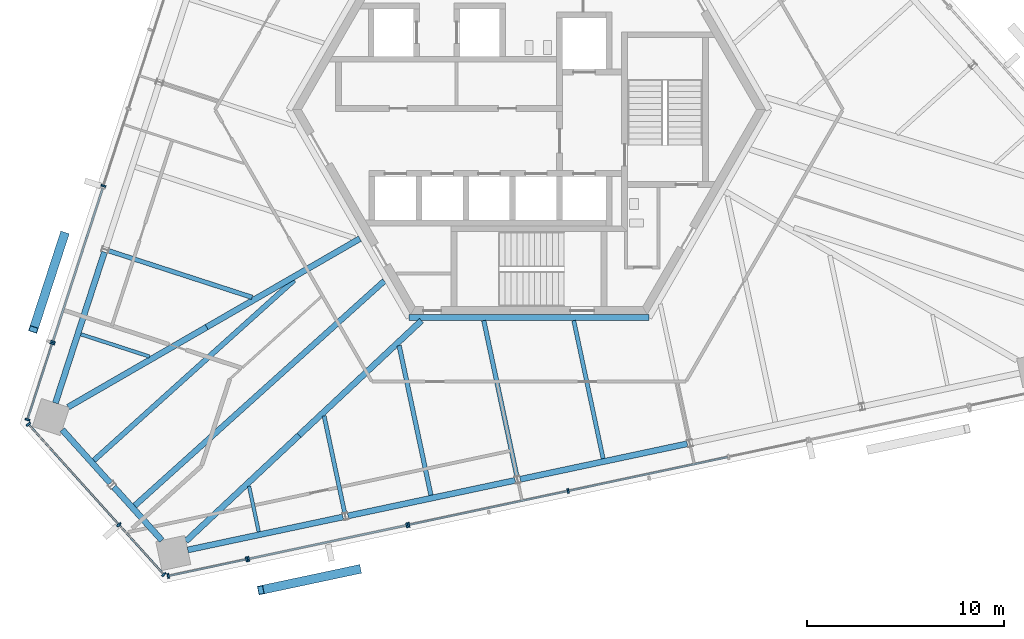
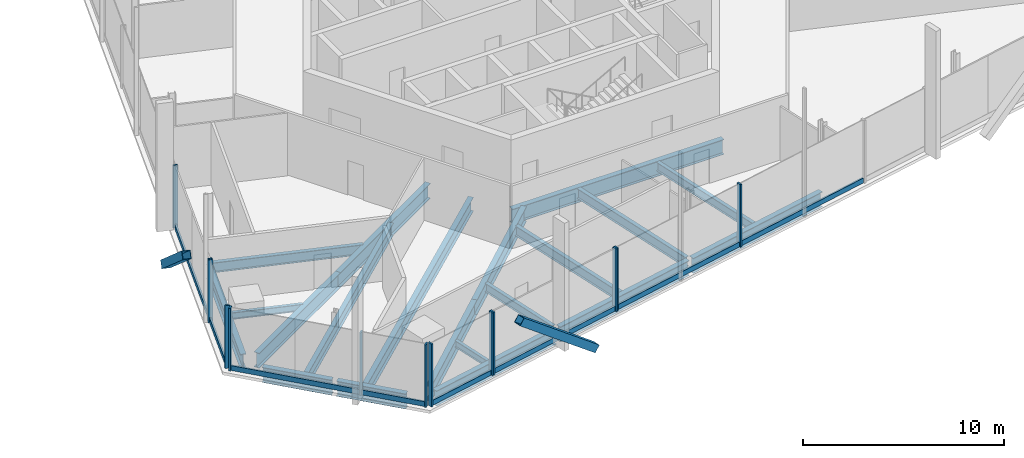
# One storey, part 4 of 17: 23 members, 20 beams, 7 elements without a shape of their own.
"""IFC4 building model written with IfcOpenShell, lengths in metres."""

from ifc_helpers import new_model, si_unit, direction, frame, origin, origin_2d, place, context, subcontext, project, spatial, rectangle, hollow_rectangle, i_section, extrude, source, transform, mapped, material, material_profile, profile_set, type_object, element, aggregate, save


model = new_model("IFC4")

# Units and contexts
model_context = context("Model", 3, precision=1e-05, world=origin(), true_north=direction((0.0, 1.0)))
body_context = subcontext(model_context, "Body", "Model", "MODEL_VIEW")
ifc_project = project(units=[si_unit("LENGTHUNIT", "METRE"), si_unit("AREAUNIT", "SQUARE_METRE"), si_unit("VOLUMEUNIT", "CUBIC_METRE"), si_unit("PLANEANGLEUNIT", "RADIAN"), si_unit("MASSUNIT", "GRAM", prefix="KILO")], contexts=[model_context])

# Site, building, storey
site_placement = place(None, origin())
site = spatial("IfcSite", under=ifc_project, at=site_placement, CompositionType="ELEMENT")
building_placement = place(site_placement, origin())
building = spatial("IfcBuilding", under=site, at=building_placement, Name="Triune Harvest Tower", CompositionType="ELEMENT")
storey_placement = place(building_placement, frame((0.0, 0.0, 288.699951171875)))
storey = spatial("IfcBuildingStorey", under=building, at=storey_placement, Name="L76", CompositionType="ELEMENT", Elevation=288.699951171875)

# Beams
ifc_material_1 = material(Name="Steel ASTM A992 Gr 50", Category="steel")
ifc_material_profile_1 = material_profile(ifc_material_1, i_section(OverallWidth=0.3046875, OverallDepth=0.914306640625, WebThickness=0.0166015625, FlangeThickness=0.02587890625, at=origin_2d()), Name="W36x160")
ifc_profile_set_1 = profile_set([ifc_material_profile_1], Name="Steel ASTM A992 Gr 50")
beam_type_1 = type_object("IfcBeamType", Name="CG-1 Core ring girder W36x160", PredefinedType="BEAM", material=ifc_profile_set_1)
shared_shape_1 = source(origin(), body_context, "Body", "SweptSolid", [
    extrude(i_section(OverallWidth=0.3046875, OverallDepth=0.914306640625, WebThickness=0.0166015625, FlangeThickness=0.02587890625, at=origin_2d()), origin(), (0.0, 0.0, 1.0), 12.17578125),
])
beam_1_placement = place(storey_placement, frame((-6.087890625, -10.544677734375, -0.63720703125), z_axis=(1.0, 0.0, 0.0), x_axis=(0.0, 1.0, 0.0)))
element("IfcBeam", 1, at=beam_1_placement, inside=storey, type_object=beam_type_1, Name="beam/L76/CG5", PredefinedType="BEAM", context=body_context, shape_type="MappedRepresentation", body=[
    mapped(shared_shape_1, transform((0.0, 0.0, 0.0), scale=1.0)),
])
ifc_material_2 = material(Name="Steel ASTM A992 Gr 50", Category="steel")
ifc_material_profile_2 = material_profile(ifc_material_2, i_section(OverallWidth=0.3046875, OverallDepth=0.914306640625, WebThickness=0.0166015625, FlangeThickness=0.02587890625, at=origin_2d()), Name="W36x160")
ifc_profile_set_2 = profile_set([ifc_material_profile_2], Name="Steel ASTM A992 Gr 50")
beam_type_2 = type_object("IfcBeamType", Name="HG-3 Hip girder W36x160", PredefinedType="BEAM", material=ifc_profile_set_2)
shared_shape_2 = source(origin(), body_context, "Body", "SweptSolid", [
    extrude(i_section(OverallWidth=0.3046875, OverallDepth=0.914306640625, WebThickness=0.0166015625, FlangeThickness=0.02587890625, at=origin_2d()), origin(), (0.0, 0.0, 1.0), 8.97265625),
])
beam_2_placement = place(storey_placement, frame((-16.34619140625, -11.02734375, -0.63720703125), z_axis=(0.866024277037, 0.500001951578, 0.0), x_axis=(-0.500001951578, 0.866024277037, 0.0)))
element("IfcBeam", 2, at=beam_2_placement, inside=storey, type_object=beam_type_2, Name="beam/L76/HG5", PredefinedType="BEAM", context=body_context, shape_type="MappedRepresentation", body=[
    mapped(shared_shape_2, transform((0.0, 0.0, 0.0), scale=1.0)),
])
ifc_material_3 = material(Name="Steel ASTM A992 Gr 50", Category="steel")
ifc_material_profile_3 = material_profile(ifc_material_3, i_section(OverallWidth=0.3046875, OverallDepth=0.914306640625, WebThickness=0.0166015625, FlangeThickness=0.02587890625, at=origin_2d()), Name="W36x160")
ifc_profile_set_3 = profile_set([ifc_material_profile_3], Name="Steel ASTM A992 Gr 50")
beam_type_3 = type_object("IfcBeamType", Name="SB-1 Spandrel beam W36x160", PredefinedType="SPANDREL", material=ifc_profile_set_3)
shared_shape_3 = source(origin(), body_context, "Body", "SweptSolid", [
    extrude(i_section(OverallWidth=0.3046875, OverallDepth=0.914306640625, WebThickness=0.0166015625, FlangeThickness=0.02587890625, at=origin_2d()), origin(), (0.0, 0.0, 1.0), 8.0498046875),
])
beam_3_placement = place(storey_placement, frame((-21.529296875, -7.220703125, -0.63720703125), z_axis=(-0.30902160762, -0.951055017348, 0.0), x_axis=(0.951055017348, -0.30902160762, 0.0)))
element("IfcBeam", 3, at=beam_3_placement, inside=storey, type_object=beam_type_3, Name="beam/L76/SB12", PredefinedType="SPANDREL", context=body_context, shape_type="MappedRepresentation", body=[
    mapped(shared_shape_3, transform((0.0, 0.0, 0.0), scale=1.0)),
])
shared_shape_4 = source(origin(), body_context, "Body", "SweptSolid", [
    extrude(i_section(OverallWidth=0.3046875, OverallDepth=0.914306640625, WebThickness=0.0166015625, FlangeThickness=0.02587890625, at=origin_2d()), origin(), (0.0, 0.0, 1.0), 8.67138671875),
])
for number, where, z_axis, x_axis, name in (
    (4, (-9.1806640625, -20.603271484375, -0.63720703125), (0.978145539793, 0.207921386546, 0.0), (-0.207921386546, 0.978145539793, 0.0), "beam/L76/SB16"),
    (5, (-0.44775390625, -18.7470703125, -0.63720703125), (0.978145539793, 0.207921386546, 0.0), (-0.207921386546, 0.978145539793, 0.0), "beam/L76/SB17"),
):
    element("IfcBeam", number, at=place(storey_placement, frame(where, z_axis=z_axis, x_axis=x_axis)), inside=storey, type_object=beam_type_3, Name=name, PredefinedType="SPANDREL", context=body_context, shape_type="MappedRepresentation", body=[
        mapped(shared_shape_4, transform((0.0, 0.0, 0.0), scale=1.0)),
    ])
shared_shape_5 = source(origin(), body_context, "Body", "SweptSolid", [
    extrude(i_section(OverallWidth=0.3046875, OverallDepth=0.914306640625, WebThickness=0.0166015625, FlangeThickness=0.02587890625, at=origin_2d()), origin(), (0.0, 0.0, 1.0), 3.645751953125),
])
for number, where, z_axis, x_axis, name in (
    (6, (-23.669189453125, -16.2333984375, -0.63720703125), (0.669138606654, -0.743137621901, 0.0), (0.743137621901, 0.669138606654, 0.0), "beam/L76/SB13"),
    (7, (-21.05810546875, -19.13330078125, -0.63720703125), (0.669138606654, -0.743137621901, 0.0), (0.743137621901, 0.669138606654, 0.0), "beam/L76/SB14"),
):
    element("IfcBeam", number, at=place(storey_placement, frame(where, z_axis=z_axis, x_axis=x_axis)), inside=storey, type_object=beam_type_3, Name=name, PredefinedType="SPANDREL", context=body_context, shape_type="MappedRepresentation", body=[
        mapped(shared_shape_5, transform((0.0, 0.0, 0.0), scale=1.0)),
    ])
shared_shape_6 = source(origin(), body_context, "Body", "SweptSolid", [
    extrude(i_section(OverallWidth=0.3046875, OverallDepth=0.914306640625, WebThickness=0.0166015625, FlangeThickness=0.02587890625, at=origin_2d()), origin(), (0.0, 0.0, 1.0), 8.049560546875),
])
beam_4_placement = place(storey_placement, frame((-17.305419921875, -22.330322265625, -0.63720703125), z_axis=(0.978148597907, 0.207906999431, 0.0), x_axis=(-0.207906999431, 0.978148597907, 0.0)))
element("IfcBeam", 8, at=beam_4_placement, inside=storey, type_object=beam_type_3, Name="beam/L76/SB15", PredefinedType="SPANDREL", context=body_context, shape_type="MappedRepresentation", body=[
    mapped(shared_shape_6, transform((0.0, 0.0, 0.0), scale=1.0)),
])
shared_shape_7 = source(origin(), body_context, "Body", "SweptSolid", [
    extrude(i_section(OverallWidth=0.3046875, OverallDepth=0.914306640625, WebThickness=0.0166015625, FlangeThickness=0.02587890625, at=origin_2d()), origin(), (0.0, 0.0, 1.0), 8.11572265625),
])
beam_5_placement = place(storey_placement, frame((-23.37451171875, -15.085205078125, -0.63720703125), z_axis=(0.866022271607, 0.500005425051, 0.0), x_axis=(-0.500005425051, 0.866022271607, 0.0)))
element("IfcBeam", 9, at=beam_5_placement, inside=storey, type_object=beam_type_2, Name="beam/L76/HG4", PredefinedType="BEAM", context=body_context, shape_type="MappedRepresentation", body=[
    mapped(shared_shape_7, transform((0.0, 0.0, 0.0), scale=1.0)),
])
shared_shape_8 = source(origin(), body_context, "Body", "SweptSolid", [
    extrude(i_section(OverallWidth=0.3046875, OverallDepth=0.914306640625, WebThickness=0.0166015625, FlangeThickness=0.02587890625, at=origin_2d()), origin(), (0.0, 0.0, 1.0), 7.858642578125),
])
beam_6_placement = place(storey_placement, frame((-17.399658203125, -21.88720703125, -0.63720703125), z_axis=(0.729902338859, 0.683551443367, 0.0), x_axis=(-0.683551443367, 0.729902338859, 0.0)))
element("IfcBeam", 10, at=beam_6_placement, inside=storey, type_object=beam_type_2, Name="beam/L76/HG6", PredefinedType="BEAM", context=body_context, shape_type="MappedRepresentation", body=[
    mapped(shared_shape_8, transform((0.0, 0.0, 0.0), scale=1.0)),
])
shared_shape_9 = source(origin(), body_context, "Body", "SweptSolid", [
    extrude(i_section(OverallWidth=0.3046875, OverallDepth=0.914306640625, WebThickness=0.0166015625, FlangeThickness=0.02587890625, at=origin_2d()), origin(), (0.0, 0.0, 1.0), 8.511962890625),
])
beam_7_placement = place(storey_placement, frame((-11.66357421875, -16.515380859375, -0.63720703125), z_axis=(0.729902036757, 0.683551765954, 0.0), x_axis=(-0.683551765954, 0.729902036757, 0.0)))
element("IfcBeam", 11, at=beam_7_placement, inside=storey, type_object=beam_type_2, Name="beam/L76/HG7", PredefinedType="BEAM", context=body_context, shape_type="MappedRepresentation", body=[
    mapped(shared_shape_9, transform((0.0, 0.0, 0.0), scale=1.0)),
])
ifc_material_4 = material(Name="Steel ASTM A992 Gr 50", Category="steel")
ifc_material_profile_4 = material_profile(ifc_material_4, i_section(OverallWidth=0.180908203125, OverallDepth=0.41650390625, WebThickness=0.010986328125, FlangeThickness=0.01806640625, at=origin_2d()), Name="W16x57")
ifc_profile_set_4 = profile_set([ifc_material_profile_4], Name="Steel ASTM A992 Gr 50")
beam_type_4 = type_object("IfcBeamType", Name="JT-1 Floor joist W16x57", PredefinedType="JOIST", material=ifc_profile_set_4)
shared_shape_10 = source(origin(), body_context, "Body", "SweptSolid", [
    extrude(i_section(OverallWidth=0.180908203125, OverallDepth=0.41650390625, WebThickness=0.010986328125, FlangeThickness=0.01806640625, at=origin_2d()), origin(), (0.0, 0.0, 1.0), 2.364990234375),
])
beam_8_placement = place(storey_placement, frame((-13.704345703125, -21.4091796875, -0.38818359375), z_axis=(-0.207914315996, 0.978147042731, 0.0), x_axis=(-0.978147042731, -0.207914315996, 0.0)))
element("IfcBeam", 12, at=beam_8_placement, inside=storey, type_object=beam_type_4, Name="beam/L76/JT23", PredefinedType="JOIST", context=body_context, shape_type="MappedRepresentation", body=[
    mapped(shared_shape_10, transform((0.0, 0.0, 0.0), scale=1.0)),
])
ifc_material_5 = material(Name="Steel ASTM A992 Gr 50", Category="steel")
ifc_material_profile_5 = material_profile(ifc_material_5, i_section(OverallWidth=0.2099609375, OverallDepth=0.535888671875, WebThickness=0.010986328125, FlangeThickness=0.017333984375, at=origin_2d()), Name="W21x68")
ifc_profile_set_5 = profile_set([ifc_material_profile_5], Name="Steel ASTM A992 Gr 50")
beam_type_5 = type_object("IfcBeamType", Name="JT-2 Floor joist W21x68", PredefinedType="JOIST", material=ifc_profile_set_5)
shared_shape_11 = source(origin(), body_context, "Body", "SweptSolid", [
    extrude(i_section(OverallWidth=0.2099609375, OverallDepth=0.535888671875, WebThickness=0.010986328125, FlangeThickness=0.017333984375, at=origin_2d()), origin(), (0.0, 0.0, 1.0), 5.031982421875),
])
beam_9_placement = place(storey_placement, frame((-9.34375, -20.45361328125, -0.447998046875), z_axis=(-0.207895312057, 0.978151082004, 0.0), x_axis=(-0.978151082004, -0.207895312057, 0.0)))
element("IfcBeam", 13, at=beam_9_placement, inside=storey, type_object=beam_type_5, Name="beam/L76/JT24", PredefinedType="JOIST", context=body_context, shape_type="MappedRepresentation", body=[
    mapped(shared_shape_11, transform((0.0, 0.0, 0.0), scale=1.0)),
])
ifc_material_6 = material(Name="Steel ASTM A992 Gr 50", Category="steel")
ifc_material_profile_6 = material_profile(ifc_material_6, i_section(OverallWidth=0.22900390625, OverallDepth=0.612060546875, WebThickness=0.011962890625, FlangeThickness=0.01953125, at=origin_2d()), Name="W24x84")
ifc_profile_set_6 = profile_set([ifc_material_profile_6], Name="Steel ASTM A992 Gr 50")
beam_type_6 = type_object("IfcBeamType", Name="JT-3 Floor joist W24x84", PredefinedType="JOIST", material=ifc_profile_set_6)
shared_shape_12 = source(origin(), body_context, "Body", "SweptSolid", [
    extrude(i_section(OverallWidth=0.22900390625, OverallDepth=0.612060546875, WebThickness=0.011962890625, FlangeThickness=0.01953125, at=origin_2d()), origin(), (0.0, 0.0, 1.0), 7.755126953125),
])
beam_10_placement = place(storey_placement, frame((-4.971435546875, -19.552734375, -0.486083984375), z_axis=(-0.20790130149, 0.978149808996, 0.0), x_axis=(-0.978149808996, -0.20790130149, 0.0)))
element("IfcBeam", 14, at=beam_10_placement, inside=storey, type_object=beam_type_6, Name="beam/L76/JT25", PredefinedType="JOIST", context=body_context, shape_type="MappedRepresentation", body=[
    mapped(shared_shape_12, transform((0.0, 0.0, 0.0), scale=1.0)),
])
shared_shape_13 = source(origin(), body_context, "Body", "SweptSolid", [
    extrude(i_section(OverallWidth=0.22900390625, OverallDepth=0.612060546875, WebThickness=0.011962890625, FlangeThickness=0.01953125, at=origin_2d()), origin(), (0.0, 0.0, 1.0), 8.076904296875),
])
beam_11_placement = place(storey_placement, frame((-0.61083984375, -18.597412109375, -0.486083984375), z_axis=(-0.207902137341, 0.978149631339, 0.0), x_axis=(-0.978149631339, -0.207902137341, 0.0)))
element("IfcBeam", 15, at=beam_11_placement, inside=storey, type_object=beam_type_6, Name="beam/L76/JT26", PredefinedType="JOIST", context=body_context, shape_type="MappedRepresentation", body=[
    mapped(shared_shape_13, transform((0.0, 0.0, 0.0), scale=1.0)),
])
shared_shape_14 = source(origin(), body_context, "Body", "SweptSolid", [
    extrude(i_section(OverallWidth=0.22900390625, OverallDepth=0.612060546875, WebThickness=0.011962890625, FlangeThickness=0.01953125, at=origin_2d()), origin(), (0.0, 0.0, 1.0), 7.6533203125),
])
beam_12_placement = place(storey_placement, frame((-21.318115234375, -7.154541015625, -0.486083984375), z_axis=(0.951057977144, -0.309012498309, 0.0), x_axis=(0.309012498309, 0.951057977144, 0.0)))
element("IfcBeam", 16, at=beam_12_placement, inside=storey, type_object=beam_type_6, Name="beam/L76/JT19", PredefinedType="JOIST", context=body_context, shape_type="MappedRepresentation", body=[
    mapped(shared_shape_14, transform((0.0, 0.0, 0.0), scale=1.0)),
])
shared_shape_15 = source(origin(), body_context, "Body", "SweptSolid", [
    extrude(i_section(OverallWidth=0.180908203125, OverallDepth=0.41650390625, WebThickness=0.010986328125, FlangeThickness=0.01806640625, at=origin_2d()), origin(), (0.0, 0.0, 1.0), 3.661865234375),
])
beam_13_placement = place(storey_placement, frame((-22.72412109375, -11.391357421875, -0.38818359375), z_axis=(0.951056113966, -0.309018232614, 0.0), x_axis=(0.309018232614, 0.951056113966, 0.0)))
element("IfcBeam", 17, at=beam_13_placement, inside=storey, type_object=beam_type_4, Name="beam/L76/JT20", PredefinedType="JOIST", context=body_context, shape_type="MappedRepresentation", body=[
    mapped(shared_shape_15, transform((0.0, 0.0, 0.0), scale=1.0)),
])
ifc_material_7 = material(Name="Steel ASTM A992 Gr 50", Category="steel")
ifc_material_profile_7 = material_profile(ifc_material_7, i_section(OverallWidth=0.2666015625, OverallDepth=0.7568359375, WebThickness=0.013916015625, FlangeThickness=0.019287109375, at=origin_2d()), Name="W30x108")
ifc_profile_set_7 = profile_set([ifc_material_profile_7], Name="Steel ASTM A992 Gr 50")
beam_type_7 = type_object("IfcBeamType", Name="JT-5 Floor joist W30x108", PredefinedType="JOIST", material=ifc_profile_set_7)
shared_shape_16 = source(origin(), body_context, "Body", "SweptSolid", [
    extrude(i_section(OverallWidth=0.2666015625, OverallDepth=0.7568359375, WebThickness=0.013916015625, FlangeThickness=0.019287109375, at=origin_2d()), origin(), (0.0, 0.0, 1.0), 13.667724609375),
])
beam_14_placement = place(storey_placement, frame((-22.0654296875, -17.78662109375, -0.558349609375), z_axis=(0.743148465952, 0.66912656318, 0.0), x_axis=(-0.66912656318, 0.743148465952, 0.0)))
element("IfcBeam", 18, at=beam_14_placement, inside=storey, type_object=beam_type_7, Name="beam/L76/JT21", PredefinedType="JOIST", context=body_context, shape_type="MappedRepresentation", body=[
    mapped(shared_shape_16, transform((0.0, 0.0, 0.0), scale=1.0)),
])
ifc_material_8 = material(Name="Steel ASTM A992 Gr 50", Category="steel")
ifc_material_profile_8 = material_profile(ifc_material_8, i_section(OverallWidth=0.2919921875, OverallDepth=0.8408203125, WebThickness=0.0146484375, FlangeThickness=0.021728515625, at=origin_2d()), Name="W33x130")
ifc_profile_set_8 = profile_set([ifc_material_profile_8], Name="Steel ASTM A992 Gr 50")
beam_type_8 = type_object("IfcBeamType", Name="JT-6 Floor joist W33x130", PredefinedType="JOIST", material=ifc_profile_set_8)
shared_shape_17 = source(origin(), body_context, "Body", "SweptSolid", [
    extrude(i_section(OverallWidth=0.2919921875, OverallDepth=0.8408203125, WebThickness=0.0146484375, FlangeThickness=0.021728515625, at=origin_2d()), origin(), (0.0, 0.0, 1.0), 17.03466796875),
])
beam_15_placement = place(storey_placement, frame((-19.99560546875, -20.08544921875, -0.600341796875), z_axis=(0.743143047387, 0.669132581123, 0.0), x_axis=(-0.669132581123, 0.743143047387, 0.0)))
element("IfcBeam", 19, at=beam_15_placement, inside=storey, type_object=beam_type_8, Name="beam/L76/JT22", PredefinedType="JOIST", context=body_context, shape_type="MappedRepresentation", body=[
    mapped(shared_shape_17, transform((0.0, 0.0, 0.0), scale=1.0)),
])
shared_shape_18 = source(origin(), body_context, "Body", "SweptSolid", [
    extrude(i_section(OverallWidth=0.2099609375, OverallDepth=0.535888671875, WebThickness=0.010986328125, FlangeThickness=0.017333984375, at=origin_2d()), origin(), (0.0, 0.0, 1.0), 7.156005859375),
])
beam_16_placement = place(storey_placement, frame((3.761474609375, -17.696533203125, -0.447998046875), z_axis=(-0.207911801049, 0.978147577303, 0.0), x_axis=(-0.978147577303, -0.207911801049, 0.0)))
element("IfcBeam", 20, at=beam_16_placement, inside=storey, type_object=beam_type_5, Name="beam/L76/JT27", PredefinedType="JOIST", context=body_context, shape_type="MappedRepresentation", body=[
    mapped(shared_shape_18, transform((0.0, 0.0, 0.0), scale=1.0)),
])

# Members
ifc_material_9 = material(Name="Steel ASTM A572 Gr 50", Category="steel")
ifc_material_profile_9 = material_profile(ifc_material_9, hollow_rectangle(XDim=0.449951171875, YDim=0.449951171875, WallThickness=0.02490234375, at=origin_2d()), Name="Box 450x450x25")
ifc_profile_set_9 = profile_set([ifc_material_profile_9], Name="Steel ASTM A572 Gr 50")
member_type_1 = type_object("IfcMemberType", Name="BR-4 Brace Box 450x450x25", PredefinedType="BRACE", material=ifc_profile_set_9)
shared_shape_19 = source(origin(), body_context, "Body", "SweptSolid", [
    extrude(hollow_rectangle(XDim=0.449951171875, YDim=0.449951171875, WallThickness=0.02490234375, at=origin_2d()), origin(), (0.0, 0.0, 1.0), 6.4326171875),
])
member_1_placement = place(storey_placement, frame((-8.67431640625, -23.31787109375, 0.0), z_axis=(-0.766029669925, -0.162823528909, 0.621841654465), x_axis=(0.207910342213, -0.978147887388, 0.0)))
element("IfcMember", 21, at=member_1_placement, inside=storey, type_object=member_type_1, Name="brace/B7-F5/d2/9", PredefinedType="BRACE", context=body_context, shape_type="MappedRepresentation", body=[
    mapped(shared_shape_19, transform((0.0, 0.0, 0.0), scale=1.0)),
])
shared_shape_20 = source(origin(), body_context, "Body", "SweptSolid", [
    extrude(hollow_rectangle(XDim=0.449951171875, YDim=0.449951171875, WallThickness=0.02490234375, at=origin_2d()), origin(), (0.0, 0.0, 1.0), 6.432373046875),
])
member_2_placement = place(storey_placement, frame((-23.57373046875, -6.359375, 0.0), z_axis=(-0.24203906298, -0.744791051099, 0.621854791888), x_axis=(0.951040835607, -0.309065250404, 0.0)))
element("IfcMember", 22, at=member_2_placement, inside=storey, type_object=member_type_1, Name="brace/B7-F3/d1/9", PredefinedType="BRACE", context=body_context, shape_type="MappedRepresentation", body=[
    mapped(shared_shape_20, transform((0.0, 0.0, 0.0), scale=1.0)),
])

# Curtain wall, member
ifc_material_10 = material(Name="Aluminium bronze anodised", Category="aluminium")
curtain_wall_type_1 = type_object("IfcCurtainWallType", Name="CW-4 Sky lobby tall glazing wall", PredefinedType="NOTDEFINED", material=ifc_material_10)
curtain_wall_1_placement = place(storey_placement, origin())
curtain_wall_1 = element("IfcCurtainWall", 23, at=curtain_wall_1_placement, inside=storey, type_object=curtain_wall_type_1, Name="CW-4 B7-F3 L76 run 2001")
ifc_material_11 = material(Name="Aluminium bronze anodised", Category="aluminium")
ifc_material_profile_10 = material_profile(ifc_material_11, rectangle(XDim=0.25, YDim=0.090087890625, at=origin_2d()), Name="MU-4 mullion 90 x 250")
ifc_profile_set_10 = profile_set([ifc_material_profile_10], Name="Aluminium bronze anodised")
member_type_2 = type_object("IfcMemberType", Name="MU-4 mullion 90 x 250", PredefinedType="MULLION", material=ifc_profile_set_10)
shared_shape_21 = source(origin(), body_context, "Body", "SweptSolid", [
    extrude(rectangle(XDim=0.25, YDim=0.090087890625, at=origin_2d()), origin(), (0.0, 0.0, 1.0), 3.820068359375),
])
member_3_placement = place(storey_placement, frame((-21.58056640625, -3.864990234375, 0.0), z_axis=(0.0, 0.0, 1.0), x_axis=(0.951055533932, -0.309020017761, 0.0)))
member_3 = element("IfcMember", 24, at=member_3_placement, type_object=member_type_2, Name="CW-4 mullion B7-F3 2001.6", PredefinedType="MULLION", context=body_context, shape_type="MappedRepresentation", body=[
    mapped(shared_shape_21, transform((0.0, 0.0, 0.0), scale=1.0)),
])
aggregate(curtain_wall_1, [member_3])

ifc_material_12 = material(Name="Aluminium bronze anodised", Category="aluminium")
curtain_wall_type_2 = type_object("IfcCurtainWallType", Name="CW-9 Sky lobby tall glazing wall with insulated spandrel infill", PredefinedType="NOTDEFINED", material=ifc_material_12)
curtain_wall_2_placement = place(storey_placement, origin())
curtain_wall_2 = element("IfcCurtainWall", 25, at=curtain_wall_2_placement, inside=storey, type_object=curtain_wall_type_2, Name="CW-9 B7-F3 L76 run 3001")
member_4_placement = place(storey_placement, frame((-24.14892578125, -11.769775390625, 0.0), z_axis=(0.0, 0.0, 1.0), x_axis=(0.951057407868, -0.309014250382, 0.0)))
member_4 = element("IfcMember", 26, at=member_4_placement, type_object=member_type_2, Name="CW-9 mullion B7-F3 3001.3", PredefinedType="MULLION", context=body_context, shape_type="MappedRepresentation", body=[
    mapped(shared_shape_21, transform((0.0, 0.0, 0.0), scale=1.0)),
])

# Curtain wall, members
curtain_wall_3_placement = place(storey_placement, origin())
curtain_wall_3 = element("IfcCurtainWall", 27, at=curtain_wall_3_placement, inside=storey, type_object=curtain_wall_type_1, Name="CW-4 B7-F3 L76 run 4001")
member_5_placement = place(storey_placement, frame((-24.1767578125, -11.855224609375, 0.0), z_axis=(0.0, 0.0, 1.0), x_axis=(0.95105833161, -0.309011407356, 0.0)))
member_5 = element("IfcMember", 28, at=member_5_placement, type_object=member_type_2, Name="CW-4 mullion B7-F3 4001.1", PredefinedType="MULLION", context=body_context, shape_type="MappedRepresentation", body=[
    mapped(shared_shape_21, transform((0.0, 0.0, 0.0), scale=1.0)),
])
member_6_placement = place(storey_placement, frame((-25.43310546875, -15.72216796875, 0.0), z_axis=(0.0, 0.0, 1.0), x_axis=(0.95105833161, -0.309011407356, 0.0)))
member_6 = element("IfcMember", 29, at=member_6_placement, type_object=member_type_2, Name="CW-4 mullion B7-F3 4001.2", PredefinedType="MULLION", context=body_context, shape_type="MappedRepresentation", body=[
    mapped(shared_shape_21, transform((0.0, 0.0, 0.0), scale=1.0)),
])

curtain_wall_4_placement = place(storey_placement, origin())
curtain_wall_4 = element("IfcCurtainWall", 30, at=curtain_wall_4_placement, inside=storey, type_object=curtain_wall_type_1, Name="CW-4 B7-F4 L76 run 1")
member_7_placement = place(storey_placement, frame((-25.384521484375, -15.950927734375, 0.0), z_axis=(0.0, 0.0, 1.0), x_axis=(0.743143542297, 0.669132031472, 0.0)))
member_7 = element("IfcMember", 31, at=member_7_placement, type_object=member_type_2, Name="CW-4 mullion B7-F4 1.1", PredefinedType="MULLION", context=body_context, shape_type="MappedRepresentation", body=[
    mapped(shared_shape_21, transform((0.0, 0.0, 0.0), scale=1.0)),
])
member_8_placement = place(storey_placement, frame((-20.7958984375, -21.046875, 0.0), z_axis=(0.0, 0.0, 1.0), x_axis=(0.743143542297, 0.669132031472, 0.0)))
member_8 = element("IfcMember", 32, at=member_8_placement, type_object=member_type_2, Name="CW-4 mullion B7-F4 1.3", PredefinedType="MULLION", context=body_context, shape_type="MappedRepresentation", body=[
    mapped(shared_shape_21, transform((0.0, 0.0, 0.0), scale=1.0)),
])
member_9_placement = place(storey_placement, frame((-18.516845703125, -23.578125, 0.0), z_axis=(0.0, 0.0, 1.0), x_axis=(0.743143542297, 0.669132031472, 0.0)))
member_9 = element("IfcMember", 33, at=member_9_placement, type_object=member_type_2, Name="CW-4 mullion B7-F4 1.4", PredefinedType="MULLION", context=body_context, shape_type="MappedRepresentation", body=[
    mapped(shared_shape_21, transform((0.0, 0.0, 0.0), scale=1.0)),
])

curtain_wall_5_placement = place(storey_placement, origin())
curtain_wall_5 = element("IfcCurtainWall", 34, at=curtain_wall_5_placement, inside=storey, type_object=curtain_wall_type_1, Name="CW-4 B7-F5 L76 run 1")
member_10_placement = place(storey_placement, frame((-18.29443359375, -23.650390625, 0.0), z_axis=(0.0, 0.0, 1.0), x_axis=(-0.207900793267, 0.978149917016, 0.0)))
member_10 = element("IfcMember", 35, at=member_10_placement, type_object=member_type_2, Name="CW-4 mullion B7-F5 1.1", PredefinedType="MULLION", context=body_context, shape_type="MappedRepresentation", body=[
    mapped(shared_shape_21, transform((0.0, 0.0, 0.0), scale=1.0)),
])
member_11_placement = place(storey_placement, frame((-14.317626953125, -22.80517578125, 0.0), z_axis=(0.0, 0.0, 1.0), x_axis=(-0.207900793267, 0.978149917016, 0.0)))
member_11 = element("IfcMember", 36, at=member_11_placement, type_object=member_type_2, Name="CW-4 mullion B7-F5 1.2", PredefinedType="MULLION", context=body_context, shape_type="MappedRepresentation", body=[
    mapped(shared_shape_21, transform((0.0, 0.0, 0.0), scale=1.0)),
])

curtain_wall_6_placement = place(storey_placement, origin())
curtain_wall_6 = element("IfcCurtainWall", 37, at=curtain_wall_6_placement, inside=storey, type_object=curtain_wall_type_2, Name="CW-9 B7-F5 L76 run 1001")
member_12_placement = place(storey_placement, frame((-14.2294921875, -22.786376953125, 0.0), z_axis=(0.0, 0.0, 1.0), x_axis=(-0.20791343519, 0.978147229954, 0.0)))
member_12 = element("IfcMember", 38, at=member_12_placement, type_object=member_type_2, Name="CW-9 mullion B7-F5 1001.1", PredefinedType="MULLION", context=body_context, shape_type="MappedRepresentation", body=[
    mapped(shared_shape_21, transform((0.0, 0.0, 0.0), scale=1.0)),
])
member_13_placement = place(storey_placement, frame((-6.1875, -21.076904296875, 0.0), z_axis=(0.0, 0.0, 1.0), x_axis=(-0.20791343519, 0.978147229954, 0.0)))
member_13 = element("IfcMember", 39, at=member_13_placement, type_object=member_type_2, Name="CW-9 mullion B7-F5 1001.3", PredefinedType="MULLION", context=body_context, shape_type="MappedRepresentation", body=[
    mapped(shared_shape_21, transform((0.0, 0.0, 0.0), scale=1.0)),
])

curtain_wall_7_placement = place(storey_placement, origin())
curtain_wall_7 = element("IfcCurtainWall", 40, at=curtain_wall_7_placement, inside=storey, type_object=curtain_wall_type_1, Name="CW-4 B7-F5 L76 run 2001")
member_14_placement = place(storey_placement, frame((-6.099365234375, -21.058349609375, 0.0), z_axis=(0.0, 0.0, 1.0), x_axis=(-0.207913090389, 0.978147303245, 0.0)))
member_14 = element("IfcMember", 41, at=member_14_placement, type_object=member_type_2, Name="CW-4 mullion B7-F5 2001.1", PredefinedType="MULLION", context=body_context, shape_type="MappedRepresentation", body=[
    mapped(shared_shape_21, transform((0.0, 0.0, 0.0), scale=1.0)),
])
member_15_placement = place(storey_placement, frame((1.986328125, -19.339599609375, 0.0), z_axis=(0.0, 0.0, 1.0), x_axis=(-0.207913090389, 0.978147303245, 0.0)))
member_15 = element("IfcMember", 42, at=member_15_placement, type_object=member_type_2, Name="CW-4 mullion B7-F5 2001.3", PredefinedType="MULLION", context=body_context, shape_type="MappedRepresentation", body=[
    mapped(shared_shape_21, transform((0.0, 0.0, 0.0), scale=1.0)),
])

# Member
ifc_material_13 = material(Name="Aluminium bronze anodised", Category="aluminium")
ifc_material_profile_11 = material_profile(ifc_material_13, rectangle(XDim=0.10009765625, YDim=0.300048828125, at=origin_2d()), Name="TR-4 transom 100 x 300")
ifc_profile_set_11 = profile_set([ifc_material_profile_11], Name="Aluminium bronze anodised")
member_type_3 = type_object("IfcMemberType", Name="TR-4 transom 100 x 300", PredefinedType="USERDEFINED", material=ifc_profile_set_11)
shared_shape_22 = source(origin(), body_context, "Body", "SweptSolid", [
    extrude(rectangle(XDim=0.10009765625, YDim=0.300048828125, at=origin_2d()), origin(), (0.0, 0.0, 1.0), 8.13134765625),
])
member_16_placement = place(storey_placement, frame((-21.622314453125, -3.993408203125, 0.150146484375), z_axis=(-0.309012749717, -0.951057895458, 0.0), x_axis=(0.951057895458, -0.309012749717, 0.0)))
member_16 = element("IfcMember", 43, at=member_16_placement, type_object=member_type_3, Name="CW-9 transom B7-F3 3001.1", ObjectType="TRANSOM", PredefinedType="USERDEFINED", context=body_context, shape_type="MappedRepresentation", body=[
    mapped(shared_shape_22, transform((0.0, 0.0, 0.0), scale=1.0)),
])

aggregate(curtain_wall_2, [member_4, member_16])

shared_shape_23 = source(origin(), body_context, "Body", "SweptSolid", [
    extrude(rectangle(XDim=0.10009765625, YDim=0.300048828125, at=origin_2d()), origin(), (0.0, 0.0, 1.0), 8.176513671875),
])
member_17_placement = place(storey_placement, frame((-6.055419921875, -21.048828125, 0.150146484375), z_axis=(0.978148453308, 0.207907679733, 0.0), x_axis=(-0.207907679733, 0.978148453308, 0.0)))
member_17 = element("IfcMember", 44, at=member_17_placement, type_object=member_type_3, Name="CW-4 transom B7-F5 2001.1", ObjectType="TRANSOM", PredefinedType="USERDEFINED", context=body_context, shape_type="MappedRepresentation", body=[
    mapped(shared_shape_23, transform((0.0, 0.0, 0.0), scale=1.0)),
])

shared_shape_24 = source(origin(), body_context, "Body", "SweptSolid", [
    extrude(rectangle(XDim=0.10009765625, YDim=0.300048828125, at=origin_2d()), origin(), (0.0, 0.0, 1.0), 6.76708984375),
])
member_18_placement = place(storey_placement, frame((-25.354248046875, -15.984375, 0.150146484375), z_axis=(0.669122180246, -0.743152412297, 0.0), x_axis=(0.743152412297, 0.669122180246, 0.0)))
member_18 = element("IfcMember", 45, at=member_18_placement, type_object=member_type_3, Name="CW-4 transom B7-F4 1.1", ObjectType="TRANSOM", PredefinedType="USERDEFINED", context=body_context, shape_type="MappedRepresentation", body=[
    mapped(shared_shape_24, transform((0.0, 0.0, 0.0), scale=1.0)),
])

shared_shape_25 = source(origin(), body_context, "Body", "SweptSolid", [
    extrude(rectangle(XDim=0.10009765625, YDim=0.300048828125, at=origin_2d()), origin(), (0.0, 0.0, 1.0), 3.316162109375),
])
member_19_placement = place(storey_placement, frame((-20.765869140625, -21.080322265625, 0.150146484375), z_axis=(0.669143681053, -0.743133052762, 0.0), x_axis=(0.743133052762, 0.669143681053, 0.0)))
member_19 = element("IfcMember", 46, at=member_19_placement, type_object=member_type_3, Name="CW-4 transom B7-F4 1.2", ObjectType="TRANSOM", PredefinedType="USERDEFINED", context=body_context, shape_type="MappedRepresentation", body=[
    mapped(shared_shape_25, transform((0.0, 0.0, 0.0), scale=1.0)),
])

aggregate(curtain_wall_4, [member_7, member_8, member_9, member_18, member_19])

shared_shape_26 = source(origin(), body_context, "Body", "SweptSolid", [
    extrude(rectangle(XDim=0.10009765625, YDim=0.300048828125, at=origin_2d()), origin(), (0.0, 0.0, 1.0), 8.1318359375),
])
member_20_placement = place(storey_placement, frame((-14.185546875, -22.777099609375, 0.150146484375), z_axis=(0.978148167214, 0.20790902572, 0.0), x_axis=(-0.20790902572, 0.978148167214, 0.0)))
member_20 = element("IfcMember", 47, at=member_20_placement, type_object=member_type_3, Name="CW-9 transom B7-F5 1001.1", ObjectType="TRANSOM", PredefinedType="USERDEFINED", context=body_context, shape_type="MappedRepresentation", body=[
    mapped(shared_shape_26, transform((0.0, 0.0, 0.0), scale=1.0)),
])

aggregate(curtain_wall_6, [member_12, member_13, member_20])

shared_shape_27 = source(origin(), body_context, "Body", "SweptSolid", [
    extrude(rectangle(XDim=0.10009765625, YDim=0.300048828125, at=origin_2d()), origin(), (0.0, 0.0, 1.0), 3.9755859375),
])
member_21_placement = place(storey_placement, frame((-24.190673828125, -11.898193359375, 0.150146484375), z_axis=(-0.309015253813, -0.951057081836, 0.0), x_axis=(0.951057081836, -0.309015253813, 0.0)))
member_21 = element("IfcMember", 48, at=member_21_placement, type_object=member_type_3, Name="CW-4 transom B7-F3 4001.1", ObjectType="TRANSOM", PredefinedType="USERDEFINED", context=body_context, shape_type="MappedRepresentation", body=[
    mapped(shared_shape_27, transform((0.0, 0.0, 0.0), scale=1.0)),
])

aggregate(curtain_wall_3, [member_5, member_6, member_21])

shared_shape_28 = source(origin(), body_context, "Body", "SweptSolid", [
    extrude(rectangle(XDim=0.10009765625, YDim=0.300048828125, at=origin_2d()), origin(), (0.0, 0.0, 1.0), 8.221435546875),
])
member_22_placement = place(storey_placement, frame((2.030517578125, -19.330078125, 0.150146484375), z_axis=(0.978150019874, 0.207900309334, 0.0), x_axis=(-0.207900309334, 0.978150019874, 0.0)))
member_22 = element("IfcMember", 49, at=member_22_placement, type_object=member_type_3, Name="CW-4 transom B7-F5 2001.2", ObjectType="TRANSOM", PredefinedType="USERDEFINED", context=body_context, shape_type="MappedRepresentation", body=[
    mapped(shared_shape_28, transform((0.0, 0.0, 0.0), scale=1.0)),
])

aggregate(curtain_wall_7, [member_14, member_15, member_17, member_22])

shared_shape_29 = source(origin(), body_context, "Body", "SweptSolid", [
    extrude(rectangle(XDim=0.10009765625, YDim=0.300048828125, at=origin_2d()), origin(), (0.0, 0.0, 1.0), 3.975830078125),
])
member_23_placement = place(storey_placement, frame((-18.25048828125, -23.640869140625, 0.150146484375), z_axis=(0.978157758443, 0.207863896813, 0.0), x_axis=(-0.207863896813, 0.978157758443, 0.0)))
member_23 = element("IfcMember", 50, at=member_23_placement, type_object=member_type_3, Name="CW-4 transom B7-F5 1.1", ObjectType="TRANSOM", PredefinedType="USERDEFINED", context=body_context, shape_type="MappedRepresentation", body=[
    mapped(shared_shape_29, transform((0.0, 0.0, 0.0), scale=1.0)),
])

aggregate(curtain_wall_5, [member_10, member_11, member_23])

save(model, "model.ifc")
